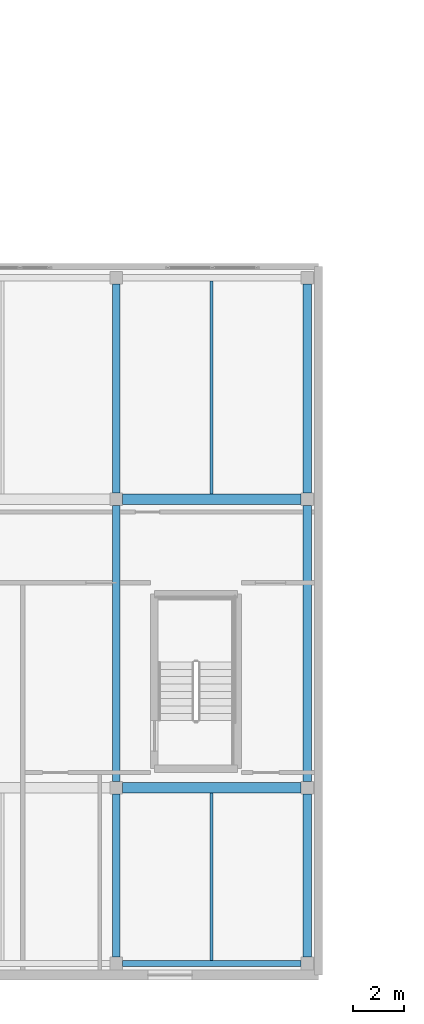
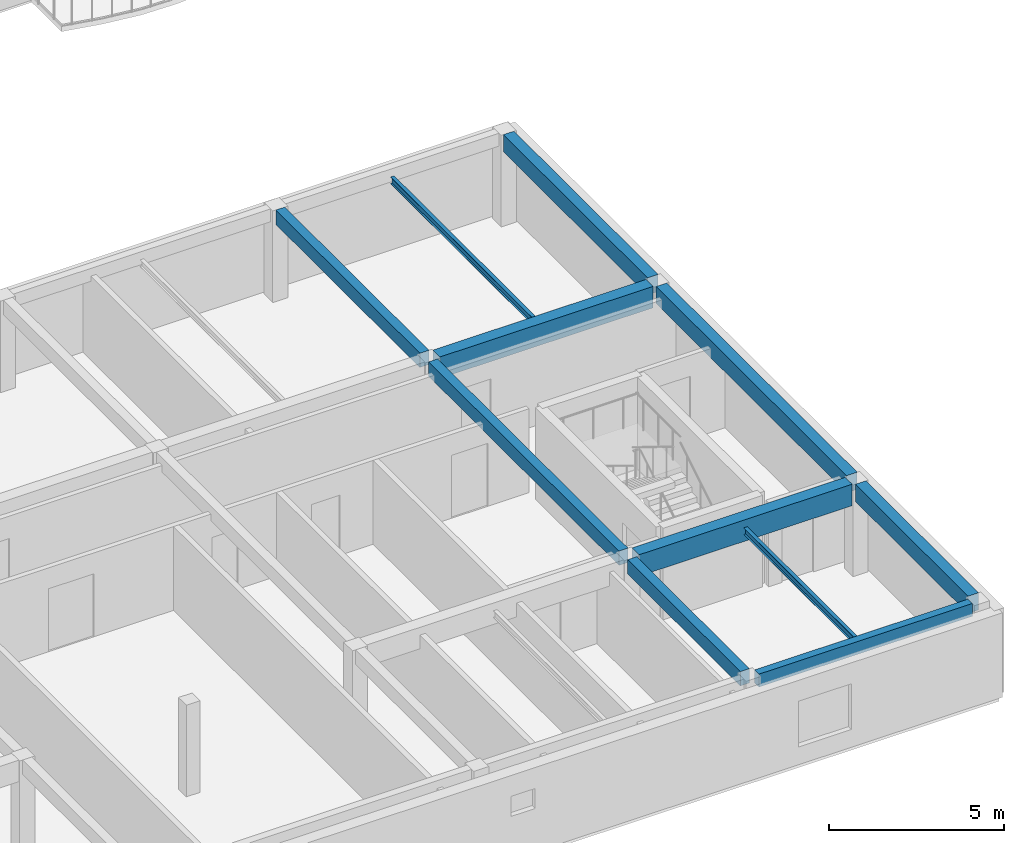
# One storey, part 29 of 89: 11 beams.
"""IFC4 building model written with IfcOpenShell, lengths in metres."""

from ifc_helpers import new_model, si_unit, direction, frame, origin, origin_2d, place, context, subcontext, project, spatial, rectangle, i_section, extrude, material, material_profile, profile_set, type_object, element, save


model = new_model("IFC4")

# Units and contexts
model_context = context("Model", 3, precision=1e-05, world=origin(), true_north=direction((0.0, 1.0)))
body_context = subcontext(model_context, "Body", "Model", "MODEL_VIEW")
ifc_project = project(units=[si_unit("LENGTHUNIT", "METRE"), si_unit("AREAUNIT", "SQUARE_METRE"), si_unit("VOLUMEUNIT", "CUBIC_METRE"), si_unit("PLANEANGLEUNIT", "RADIAN"), si_unit("MASSUNIT", "GRAM", prefix="KILO")], contexts=[model_context])

# Site, building, storey
site_placement = place(None, origin())
site = spatial("IfcSite", under=ifc_project, at=site_placement, CompositionType="ELEMENT")
building_placement = place(site_placement, origin())
building = spatial("IfcBuilding", under=site, at=building_placement, Name="Keldmere Railside Commons", CompositionType="ELEMENT")
storey_placement = place(building_placement, frame((0.0, 0.0, 7.360107421875)))
storey = spatial("IfcBuildingStorey", under=building, at=storey_placement, Name="L02", CompositionType="ELEMENT", Elevation=7.360107421875)

# Beams
ifc_material_1 = material(Name="Concrete H-35 (C35/45)", Category="concrete")
ifc_material_profile_1 = material_profile(ifc_material_1, rectangle(XDim=0.39990234375, YDim=0.75, at=origin_2d()), Name="RC-400x750")
ifc_profile_set_1 = profile_set([ifc_material_profile_1], Name="Concrete H-35 (C35/45)")
beam_type_1 = type_object("IfcBeamType", Name="Civic Frame RC Girder 400x750", PredefinedType="BEAM", material=ifc_profile_set_1)
for number, where, z_axis, x_axis, name in (
    (1, (168.25, 19.39990234375, 2.824951171875), (1.0, 0.0, 0.0), (0.0, 1.0, 0.0), "BG-2 BM-L02-1057"),
    (2, (168.25, 30.800048828125, 2.824951171875), (1.0, 0.0, 0.0), (0.0, 1.0, 0.0), "BG-2 BM-L02-1062"),
):
    element("IfcBeam", number, at=place(storey_placement, frame(where, z_axis=z_axis, x_axis=x_axis)), inside=storey, type_object=beam_type_1, Name=name, PredefinedType="BEAM", context=body_context, shape_type="SweptSolid", body=[
        extrude(rectangle(XDim=0.39990234375, YDim=0.75, at=origin_2d()), origin(), (0.0, 0.0, 1.0), 7.050048828125),
    ])
ifc_material_2 = material(Name="Steel F-36 (S355)", Category="steel")
ifc_material_profile_2 = material_profile(ifc_material_2, i_section(OverallWidth=0.1201171875, OverallDepth=0.239990234375, WebThickness=0.006103515625, FlangeThickness=0.009765625, at=origin_2d()), Name="IPE-240")
ifc_profile_set_2 = profile_set([ifc_material_profile_2], Name="Steel F-36 (S355)")
beam_type_2 = type_object("IfcBeamType", Name="Nursery & Mezzanine Steel Joist IPE240", PredefinedType="JOIST", material=ifc_profile_set_2)
beam_1_placement = place(storey_placement, frame((171.77490234375, 12.574951171875, 2.809814453125), z_axis=(0.0, 1.0, 0.0), x_axis=(-1.0, 0.0, 0.0)))
element("IfcBeam", 3, at=beam_1_placement, inside=storey, type_object=beam_type_2, Name="JST-2 BM-L02-1274", PredefinedType="JOIST", context=body_context, shape_type="SweptSolid", body=[
    extrude(i_section(OverallWidth=0.1201171875, OverallDepth=0.239990234375, WebThickness=0.006103515625, FlangeThickness=0.009765625, at=origin_2d()), origin(), (0.0, 0.0, 1.0), 6.625),
])
beam_2_placement = place(storey_placement, frame((171.77490234375, 31.0, 2.809814453125), z_axis=(0.0, 1.0, 0.0), x_axis=(-1.0, 0.0, 0.0)))
element("IfcBeam", 4, at=beam_2_placement, inside=storey, type_object=beam_type_2, Name="JST-2 BM-L02-1279", PredefinedType="JOIST", context=body_context, shape_type="SweptSolid", body=[
    extrude(i_section(OverallWidth=0.1201171875, OverallDepth=0.239990234375, WebThickness=0.006103515625, FlangeThickness=0.009765625, at=origin_2d()), origin(), (0.0, 0.0, 1.0), 8.425048828125),
])
ifc_material_3 = material(Name="Architectural Precast Concrete H-35 (C35/45)", Category="concrete")
ifc_material_profile_3 = material_profile(ifc_material_3, rectangle(XDim=0.25, YDim=0.449951171875, at=origin_2d()), Name="RC-250x450")
ifc_profile_set_3 = profile_set([ifc_material_profile_3], Name="Architectural Precast Concrete H-35 (C35/45)")
beam_type_3 = type_object("IfcBeamType", Name="Perimeter Precast Spandrel Beam 250x450", PredefinedType="SPANDREL", material=ifc_profile_set_3)
beam_3_placement = place(storey_placement, frame((168.25, 12.449951171875, 2.974853515625), z_axis=(1.0, 0.0, 0.0), x_axis=(0.0, 1.0, 0.0)))
element("IfcBeam", 5, at=beam_3_placement, inside=storey, type_object=beam_type_3, Name="SPB-1 BM-L02-1053", PredefinedType="SPANDREL", context=body_context, shape_type="SweptSolid", body=[
    extrude(rectangle(XDim=0.25, YDim=0.449951171875, at=origin_2d()), origin(), (0.0, 0.0, 1.0), 7.050048828125),
])
ifc_material_4 = material(Name="Concrete H-30 (C30/37)", Category="concrete")
ifc_material_profile_4 = material_profile(ifc_material_4, rectangle(XDim=0.35009765625, YDim=0.60009765625, at=origin_2d()), Name="RC-350x600")
ifc_profile_set_4 = profile_set([ifc_material_profile_4], Name="Concrete H-30 (C30/37)")
beam_type_4 = type_object("IfcBeamType", Name="Residential Chord RC Beam 350x600", PredefinedType="BEAM", material=ifc_profile_set_4)
beam_4_placement = place(storey_placement, frame((175.550048828125, 12.699951171875, 2.89990234375), z_axis=(0.0, 1.0, 0.0), x_axis=(-1.0, 0.0, 0.0)))
element("IfcBeam", 6, at=beam_4_placement, inside=storey, type_object=beam_type_4, Name="BG-4 BM-L02-1259", PredefinedType="BEAM", context=body_context, shape_type="SweptSolid", body=[
    extrude(rectangle(XDim=0.35009765625, YDim=0.60009765625, at=origin_2d()), origin(), (0.0, 0.0, 1.0), 6.449951171875),
])
beam_5_placement = place(storey_placement, frame((175.550048828125, 19.64990234375, 2.89990234375), z_axis=(0.0, 1.0, 0.0), x_axis=(-1.0, 0.0, 0.0)))
element("IfcBeam", 7, at=beam_5_placement, inside=storey, type_object=beam_type_4, Name="BG-4 BM-L02-1260", PredefinedType="BEAM", context=body_context, shape_type="SweptSolid", body=[
    extrude(rectangle(XDim=0.35009765625, YDim=0.60009765625, at=origin_2d()), origin(), (0.0, 0.0, 1.0), 10.900146484375),
])
beam_6_placement = place(storey_placement, frame((175.550048828125, 31.050048828125, 2.89990234375), z_axis=(0.0, 1.0, 0.0), x_axis=(-1.0, 0.0, 0.0)))
element("IfcBeam", 8, at=beam_6_placement, inside=storey, type_object=beam_type_4, Name="BG-4 BM-L02-1261", PredefinedType="BEAM", context=body_context, shape_type="SweptSolid", body=[
    extrude(rectangle(XDim=0.35009765625, YDim=0.60009765625, at=origin_2d()), origin(), (0.0, 0.0, 1.0), 8.25),
])
ifc_material_profile_5 = material_profile(ifc_material_4, rectangle(XDim=0.300048828125, YDim=0.5, at=origin_2d()), Name="RC-300x500")
ifc_profile_set_5 = profile_set([ifc_material_profile_5], Name="Concrete H-30 (C30/37)")
beam_type_5 = type_object("IfcBeamType", Name="Secondary Frame RC Beam 300x500", PredefinedType="BEAM", material=ifc_profile_set_5)
beam_7_placement = place(storey_placement, frame((168.0, 12.699951171875, 2.949951171875), z_axis=(0.0, 1.0, 0.0), x_axis=(-1.0, 0.0, 0.0)))
element("IfcBeam", 9, at=beam_7_placement, inside=storey, type_object=beam_type_5, Name="BG-5 BM-L02-1244", PredefinedType="BEAM", context=body_context, shape_type="SweptSolid", body=[
    extrude(rectangle(XDim=0.300048828125, YDim=0.5, at=origin_2d()), origin(), (0.0, 0.0, 1.0), 6.449951171875),
])
beam_8_placement = place(storey_placement, frame((168.0, 19.64990234375, 2.949951171875), z_axis=(0.0, 1.0, 0.0), x_axis=(-1.0, 0.0, 0.0)))
element("IfcBeam", 10, at=beam_8_placement, inside=storey, type_object=beam_type_5, Name="BG-5 BM-L02-1245", PredefinedType="BEAM", context=body_context, shape_type="SweptSolid", body=[
    extrude(rectangle(XDim=0.300048828125, YDim=0.5, at=origin_2d()), origin(), (0.0, 0.0, 1.0), 10.900146484375),
])
beam_9_placement = place(storey_placement, frame((168.0, 31.050048828125, 2.949951171875), z_axis=(0.0, 1.0, 0.0), x_axis=(-1.0, 0.0, 0.0)))
element("IfcBeam", 11, at=beam_9_placement, inside=storey, type_object=beam_type_5, Name="BG-5 BM-L02-1246", PredefinedType="BEAM", context=body_context, shape_type="SweptSolid", body=[
    extrude(rectangle(XDim=0.300048828125, YDim=0.5, at=origin_2d()), origin(), (0.0, 0.0, 1.0), 8.25),
])

save(model, "model.ifc")
